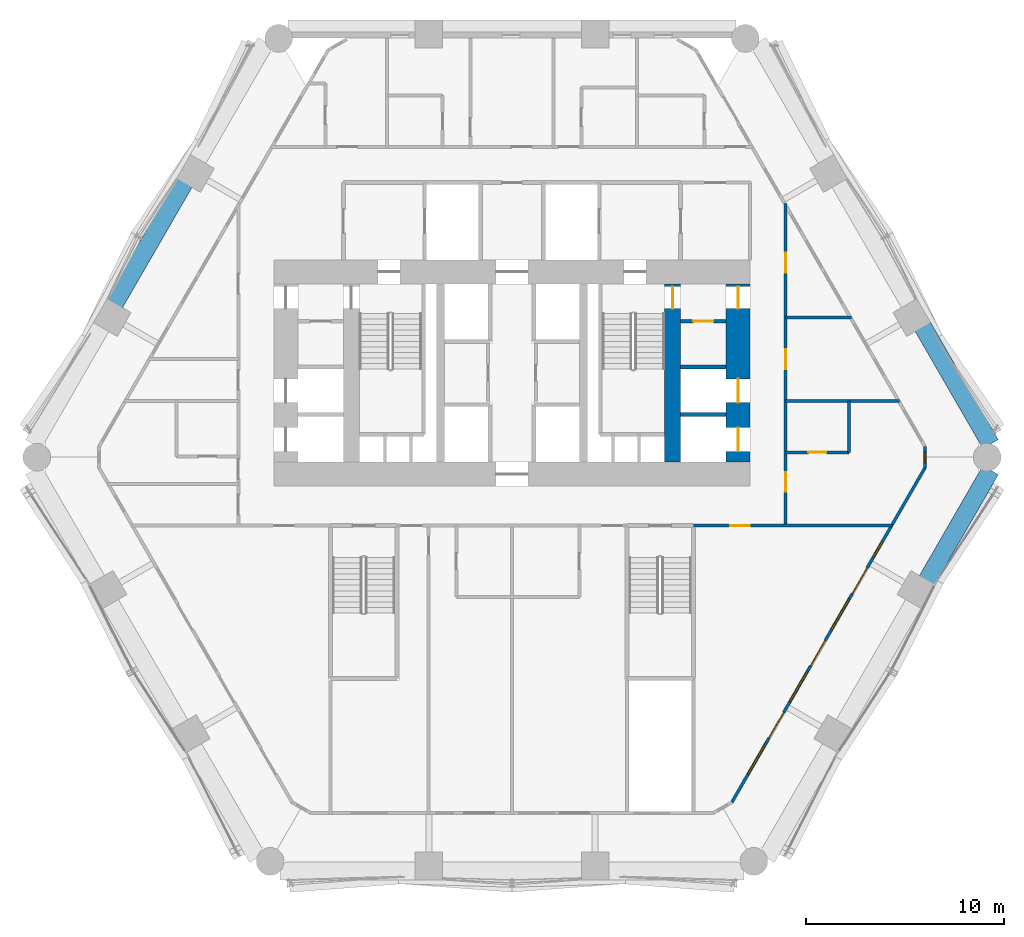
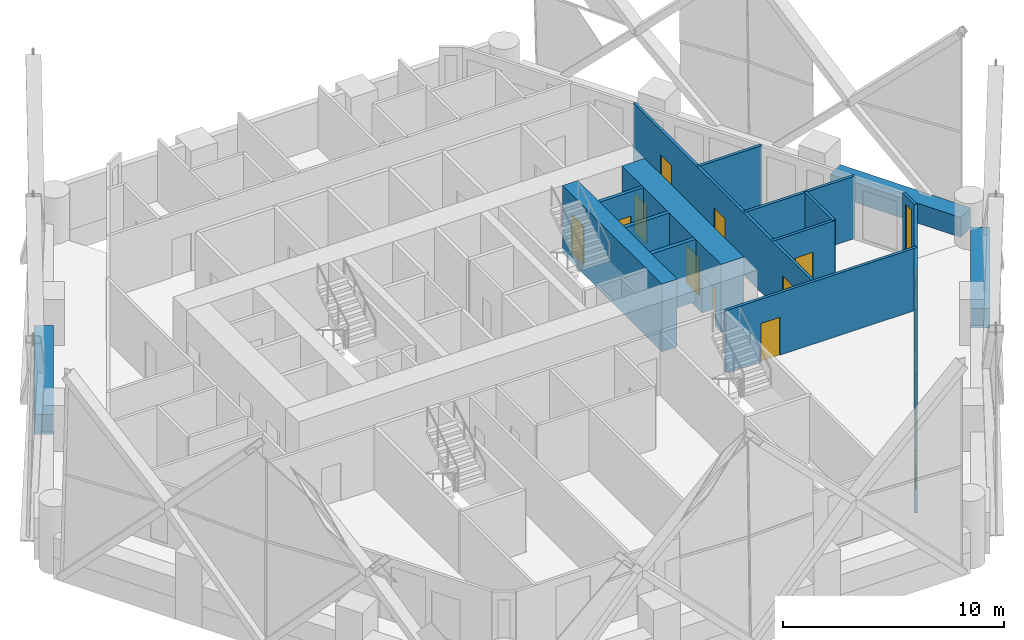
# One storey, part 13 of 22: 16 walls, 13 doors, 5 windows, 18 openings.
"""IFC4 building model written with IfcOpenShell, lengths in metres."""

from ifc_helpers import new_model, si_unit, direction, frame, frame_2d, origin, place, context, subcontext, project, spatial, rectangle, extrude, material, layer, layer_set, type_object, element, fill, save


model = new_model("IFC4")

# Units and contexts
model_context = context("Model", 3, precision=1e-05, world=origin(), true_north=direction((0.0, 1.0)))
body_context = subcontext(model_context, "Body", "Model", "MODEL_VIEW")
ifc_project = project(units=[si_unit("LENGTHUNIT", "METRE"), si_unit("AREAUNIT", "SQUARE_METRE"), si_unit("VOLUMEUNIT", "CUBIC_METRE"), si_unit("PLANEANGLEUNIT", "RADIAN"), si_unit("MASSUNIT", "GRAM", prefix="KILO")], contexts=[model_context])

# Site, building, storey
site_placement = place(None, origin())
site = spatial("IfcSite", under=ifc_project, at=site_placement, CompositionType="ELEMENT")
building_placement = place(site_placement, origin())
building = spatial("IfcBuilding", under=site, at=building_placement, Name="Ostrander Bayou Hotel Tower", CompositionType="ELEMENT")
storey_placement = place(building_placement, frame((0.0, 0.0, 46.75)))
storey = spatial("IfcBuildingStorey", under=building, at=storey_placement, Name="L11", CompositionType="ELEMENT", Elevation=46.75)

# Wall, openings, doors
ifc_material_1 = material(Name="Concrete f'c 70 MPa", Category="concrete")
ifc_layer_1 = layer(ifc_material_1, 1.199951171875)
ifc_layer_set_1 = layer_set([ifc_layer_1], Name="CW1 core wall 1200 mm f'c 70 MPa")
wall_type_1 = type_object("IfcWallType", Name="CW1 core wall 1200 mm f'c 70 MPa", PredefinedType="SHEAR", material=ifc_layer_set_1)
wall_1_placement = place(storey_placement, frame((11.39990234375, -0.5, -0.300048828125), z_axis=(0.0, 0.0, 1.0), x_axis=(0.0, 1.0, 0.0)))
wall_1 = element("IfcWall", 1, at=wall_1_placement, inside=storey, type_object=wall_type_1, Name="CW1 L11 RE", PredefinedType="SHEAR", context=body_context, shape_type="SweptSolid", body=[
    extrude(rectangle(XDim=9.0, YDim=1.199951171875, at=frame_2d((4.5, 0.0))), origin(), (0.0, 0.0, 1.0), 3.75),
])
opening_1_placement = place(wall_1_placement, frame((7.75, 0.0, 0.0)))
opening_1 = element("IfcOpeningElement", 2, at=opening_1_placement, cuts=wall_1, Name="Opening T09-021", PredefinedType="OPENING", context=body_context, shape_type="SweptSolid", body=[
    extrude(rectangle(XDim=1.10009765625, YDim=2.10009765625, at=frame_2d((0.550048828125, 1.050048828125))), frame((0.0, 0.60009765625, 0.0), z_axis=(0.0, -1.0, 0.0), x_axis=(1.0, 0.0, 0.0)), (0.0, 0.0, 1.0), 1.199951171875),
])
opening_2_placement = place(wall_1_placement, frame((0.550048828125, 0.0, 0.0)))
opening_2 = element("IfcOpeningElement", 3, at=opening_2_placement, cuts=wall_1, Name="Opening T09-022", PredefinedType="OPENING", context=body_context, shape_type="SweptSolid", body=[
    extrude(rectangle(XDim=1.199951171875, YDim=2.10009765625, at=frame_2d((0.60009765625, 1.050048828125))), frame((0.0, 0.60009765625, 0.0), z_axis=(0.0, -1.0, 0.0), x_axis=(1.0, 0.0, 0.0)), (0.0, 0.0, 1.0), 1.199951171875),
])
opening_3_placement = place(wall_1_placement, frame((3.0, 0.0, 0.0)))
opening_3 = element("IfcOpeningElement", 4, at=opening_3_placement, cuts=wall_1, Name="Opening T09-023", PredefinedType="OPENING", context=body_context, shape_type="SweptSolid", body=[
    extrude(rectangle(XDim=1.199951171875, YDim=2.10009765625, at=frame_2d((0.60009765625, 1.050048828125))), frame((0.0, 0.60009765625, 0.0), z_axis=(0.0, -1.0, 0.0), x_axis=(1.0, 0.0, 0.0)), (0.0, 0.0, 1.0), 1.199951171875),
])
ifc_material_2 = material(Name="Timber door leaf", Category="wood")
door_type_1 = type_object("IfcDoorType", Name="D5 stair door 1100 x 2100 mm, 90 minute", OperationType="SINGLE_SWING_LEFT", PredefinedType="DOOR", material=ifc_material_2)
door_1_placement = place(opening_1_placement, origin())
door_1 = element("IfcDoor", 5, at=door_1_placement, inside=storey, type_object=door_type_1, Name="dr:L11:021", OperationType="SINGLE_SWING_RIGHT", OverallHeight=2.10009765625, OverallWidth=1.10009765625, PredefinedType="DOOR", context=body_context, shape_type="SweptSolid", body=[
    extrude(rectangle(XDim=1.10009765625, YDim=2.10009765625, at=frame_2d((0.550048828125, 1.050048828125))), frame((0.0, 0.02490234375, 0.0), z_axis=(0.0, -1.0, 0.0), x_axis=(1.0, 0.0, 0.0)), (0.0, 0.0, 1.0), 0.050048828125),
])
fill(opening_1, door_1)
ifc_material_3 = material(Name="Stainless steel sliding door", Category="steel")
door_type_2 = type_object("IfcDoorType", Name="LD1 lift landing door 1200 x 2100 mm", OperationType="SINGLE_SWING_LEFT", PredefinedType="DOOR", material=ifc_material_3)
door_2_placement = place(opening_2_placement, origin())
door_2 = element("IfcDoor", 6, at=door_2_placement, inside=storey, type_object=door_type_2, Name="dr:L11:022", OperationType="SLIDING_TO_LEFT", OverallHeight=2.10009765625, OverallWidth=1.199951171875, PredefinedType="DOOR", context=body_context, shape_type="SweptSolid", body=[
    extrude(rectangle(XDim=1.199951171875, YDim=2.10009765625, at=frame_2d((0.60009765625, 1.050048828125))), frame((0.0, 0.02490234375, 0.0), z_axis=(0.0, -1.0, 0.0), x_axis=(1.0, 0.0, 0.0)), (0.0, 0.0, 1.0), 0.050048828125),
])
fill(opening_2, door_2)
door_3_placement = place(opening_3_placement, origin())
door_3 = element("IfcDoor", 7, at=door_3_placement, inside=storey, type_object=door_type_2, Name="dr:L11:023", OperationType="SLIDING_TO_LEFT", OverallHeight=2.10009765625, OverallWidth=1.199951171875, PredefinedType="DOOR", context=body_context, shape_type="SweptSolid", body=[
    extrude(rectangle(XDim=1.199951171875, YDim=2.10009765625, at=frame_2d((0.60009765625, 1.050048828125))), frame((0.0, 0.02490234375, 0.0), z_axis=(0.0, -1.0, 0.0), x_axis=(1.0, 0.0, 0.0)), (0.0, 0.0, 1.0), 0.050048828125),
])
fill(opening_3, door_3)

# Wall, opening, door
ifc_material_4 = material(Name="Concrete f'c 70 MPa", Category="concrete")
ifc_layer_2 = layer(ifc_material_4, 0.800048828125)
ifc_layer_set_2 = layer_set([ifc_layer_2], Name="CW2 core spine wall 800 mm f'c 70 MPa")
wall_type_2 = type_object("IfcWallType", Name="CW2 core spine wall 800 mm f'c 70 MPa", PredefinedType="SHEAR", material=ifc_layer_set_2)
wall_2_placement = place(storey_placement, frame((8.10009765625, -0.5, -0.300048828125), z_axis=(0.0, 0.0, 1.0), x_axis=(0.0, 1.0, 0.0)))
wall_2 = element("IfcWall", 8, at=wall_2_placement, inside=storey, type_object=wall_type_2, Name="CW2 L11 E", PredefinedType="SHEAR", context=body_context, shape_type="SweptSolid", body=[
    extrude(rectangle(XDim=9.0, YDim=0.800048828125, at=frame_2d((4.5, 0.0))), origin(), (0.0, 0.0, 1.0), 3.75),
])
opening_4_placement = place(wall_2_placement, frame((7.75, 0.0, 0.0)))
opening_4 = element("IfcOpeningElement", 9, at=opening_4_placement, cuts=wall_2, Name="Opening T09-006", PredefinedType="OPENING", context=body_context, shape_type="SweptSolid", body=[
    extrude(rectangle(XDim=1.10009765625, YDim=2.10009765625, at=frame_2d((0.550048828125, 1.050048828125))), frame((0.0, 0.39990234375, 0.0), z_axis=(0.0, -1.0, 0.0), x_axis=(1.0, 0.0, 0.0)), (0.0, 0.0, 1.0), 0.800048828125),
])
door_4_placement = place(opening_4_placement, origin())
door_4 = element("IfcDoor", 10, at=door_4_placement, inside=storey, type_object=door_type_1, Name="dr:L11:006", OperationType="SINGLE_SWING_LEFT", OverallHeight=2.10009765625, OverallWidth=1.10009765625, PredefinedType="DOOR", context=body_context, shape_type="SweptSolid", body=[
    extrude(rectangle(XDim=1.10009765625, YDim=2.10009765625, at=frame_2d((0.550048828125, 1.050048828125))), frame((0.0, 0.02490234375, 0.0), z_axis=(0.0, -1.0, 0.0), x_axis=(1.0, 0.0, 0.0)), (0.0, 0.0, 1.0), 0.050048828125),
])
fill(opening_4, door_4)

# Wall, openings, doors, windows
ifc_material_5 = material(Name="Aluminium framed insulated wall", Category="aluminium")
ifc_layer_3 = layer(ifc_material_5, 0.14990234375)
ifc_layer_set_3 = layer_set([ifc_layer_3], Name="GW1 glass-line wall 150 mm")
wall_type_3 = type_object("IfcWallType", Name="GW1 glass-line wall 150 mm", PredefinedType="SOLIDWALL", material=ifc_layer_set_3)
wall_3_placement = place(storey_placement, frame((11.0869140625, -17.64697265625, 0.0), z_axis=(0.0, 0.0, 1.0), x_axis=(0.499999841607, 0.866025495233, 0.0)))
wall_3 = element("IfcWall", 11, at=wall_3_placement, inside=storey, type_object=wall_type_3, Name="GW1 L11 SE 1", PredefinedType="SOLIDWALL", context=body_context, shape_type="SweptSolid", body=[
    extrude(rectangle(XDim=19.478515625, YDim=0.14990234375, at=frame_2d((9.7392578125, 0.0))), origin(), (0.0, 0.0, 1.0), 3.449951171875),
])
opening_5_placement = place(wall_3_placement, frame((1.639404296875, 0.0, 0.14990234375)))
opening_5 = element("IfcOpeningElement", 12, at=opening_5_placement, cuts=wall_3, Name="Opening W1", PredefinedType="OPENING", context=body_context, shape_type="SweptSolid", body=[
    extrude(rectangle(XDim=1.800048828125, YDim=2.85009765625, at=frame_2d((0.89990234375, 1.425048828125))), frame((0.0, 0.074951171875, 0.0), z_axis=(0.0, -1.0, 0.0), x_axis=(1.0, 0.0, 0.0)), (0.0, 0.0, 1.0), 0.14990234375),
])
opening_6_placement = place(wall_3_placement, frame((3.7392578125, 0.0, 0.0)))
opening_6 = element("IfcOpeningElement", 13, at=opening_6_placement, cuts=wall_3, Name="Opening T09-805", PredefinedType="OPENING", context=body_context, shape_type="SweptSolid", body=[
    extrude(rectangle(XDim=1.5, YDim=2.39990234375, at=frame_2d((0.75, 1.199951171875))), frame((0.0, 0.074951171875, 0.0), z_axis=(0.0, -1.0, 0.0), x_axis=(1.0, 0.0, 0.0)), (0.0, 0.0, 1.0), 0.14990234375),
])
opening_7_placement = place(wall_3_placement, frame((5.83935546875, 0.0, 0.14990234375)))
opening_7 = element("IfcOpeningElement", 14, at=opening_7_placement, cuts=wall_3, Name="Opening W1", PredefinedType="OPENING", context=body_context, shape_type="SweptSolid", body=[
    extrude(rectangle(XDim=1.800048828125, YDim=2.85009765625, at=frame_2d((0.89990234375, 1.425048828125))), frame((0.0, 0.074951171875, 0.0), z_axis=(0.0, -1.0, 0.0), x_axis=(1.0, 0.0, 0.0)), (0.0, 0.0, 1.0), 0.14990234375),
])
opening_8_placement = place(wall_3_placement, frame((7.939208984375, 0.0, 0.0)))
opening_8 = element("IfcOpeningElement", 15, at=opening_8_placement, cuts=wall_3, Name="Opening T09-806", PredefinedType="OPENING", context=body_context, shape_type="SweptSolid", body=[
    extrude(rectangle(XDim=1.5, YDim=2.39990234375, at=frame_2d((0.75, 1.199951171875))), frame((0.0, 0.074951171875, 0.0), z_axis=(0.0, -1.0, 0.0), x_axis=(1.0, 0.0, 0.0)), (0.0, 0.0, 1.0), 0.14990234375),
])
opening_9_placement = place(wall_3_placement, frame((10.039306640625, 0.0, 0.14990234375)))
opening_9 = element("IfcOpeningElement", 16, at=opening_9_placement, cuts=wall_3, Name="Opening W1", PredefinedType="OPENING", context=body_context, shape_type="SweptSolid", body=[
    extrude(rectangle(XDim=1.800048828125, YDim=2.85009765625, at=frame_2d((0.89990234375, 1.425048828125))), frame((0.0, 0.074951171875, 0.0), z_axis=(0.0, -1.0, 0.0), x_axis=(1.0, 0.0, 0.0)), (0.0, 0.0, 1.0), 0.14990234375),
])
opening_10_placement = place(wall_3_placement, frame((12.139404296875, 0.0, 0.0)))
opening_10 = element("IfcOpeningElement", 17, at=opening_10_placement, cuts=wall_3, Name="Opening T09-807", PredefinedType="OPENING", context=body_context, shape_type="SweptSolid", body=[
    extrude(rectangle(XDim=1.5, YDim=2.39990234375, at=frame_2d((0.75, 1.199951171875))), frame((0.0, 0.074951171875, 0.0), z_axis=(0.0, -1.0, 0.0), x_axis=(1.0, 0.0, 0.0)), (0.0, 0.0, 1.0), 0.14990234375),
])
opening_11_placement = place(wall_3_placement, frame((14.2392578125, 0.0, 0.14990234375)))
opening_11 = element("IfcOpeningElement", 18, at=opening_11_placement, cuts=wall_3, Name="Opening W15", PredefinedType="OPENING", context=body_context, shape_type="SweptSolid", body=[
    extrude(rectangle(XDim=0.89990234375, YDim=2.85009765625, at=frame_2d((0.449951171875, 1.425048828125))), frame((0.0, 0.074951171875, 0.0), z_axis=(0.0, -1.0, 0.0), x_axis=(1.0, 0.0, 0.0)), (0.0, 0.0, 1.0), 0.14990234375),
])
ifc_material_6 = material(Name="Aluminium and clear glass", Category="aluminium")
door_type_3 = type_object("IfcDoorType", Name="SD1 sliding glass door 1500 mm, zone 1", OperationType="SLIDING_TO_LEFT", PredefinedType="DOOR", material=ifc_material_6)
door_5_placement = place(opening_6_placement, origin())
door_5 = element("IfcDoor", 19, at=door_5_placement, inside=storey, type_object=door_type_3, Name="SD1 L11 SE 1", OperationType="SLIDING_TO_LEFT", OverallHeight=2.39990234375, OverallWidth=1.5, PredefinedType="DOOR", context=body_context, shape_type="SweptSolid", body=[
    extrude(rectangle(XDim=1.5, YDim=2.39990234375, at=frame_2d((0.75, 1.199951171875))), frame((0.0, 0.02490234375, 0.0), z_axis=(0.0, -1.0, 0.0), x_axis=(1.0, 0.0, 0.0)), (0.0, 0.0, 1.0), 0.050048828125),
])
fill(opening_6, door_5)
door_6_placement = place(opening_8_placement, origin())
door_6 = element("IfcDoor", 20, at=door_6_placement, inside=storey, type_object=door_type_3, Name="SD1 L11 SE 2", OperationType="SLIDING_TO_RIGHT", OverallHeight=2.39990234375, OverallWidth=1.5, PredefinedType="DOOR", context=body_context, shape_type="SweptSolid", body=[
    extrude(rectangle(XDim=1.5, YDim=2.39990234375, at=frame_2d((0.75, 1.199951171875))), frame((0.0, 0.02490234375, 0.0), z_axis=(0.0, -1.0, 0.0), x_axis=(1.0, 0.0, 0.0)), (0.0, 0.0, 1.0), 0.050048828125),
])
fill(opening_8, door_6)
door_7_placement = place(opening_10_placement, origin())
door_7 = element("IfcDoor", 21, at=door_7_placement, inside=storey, type_object=door_type_3, Name="SD1 L11 SE 3", OperationType="SLIDING_TO_LEFT", OverallHeight=2.39990234375, OverallWidth=1.5, PredefinedType="DOOR", context=body_context, shape_type="SweptSolid", body=[
    extrude(rectangle(XDim=1.5, YDim=2.39990234375, at=frame_2d((0.75, 1.199951171875))), frame((0.0, 0.02490234375, 0.0), z_axis=(0.0, -1.0, 0.0), x_axis=(1.0, 0.0, 0.0)), (0.0, 0.0, 1.0), 0.050048828125),
])
fill(opening_10, door_7)
ifc_material_7 = material(Name="Aluminium and clear glass", Category="aluminium")
window_type_1 = type_object("IfcWindowType", Name="W1 fixed window 1800 mm, zone 1", PartitioningType="SINGLE_PANEL", PredefinedType="WINDOW", material=ifc_material_7)
window_1_placement = place(opening_5_placement, origin())
window_1 = element("IfcWindow", 22, at=window_1_placement, inside=storey, type_object=window_type_1, Name="W1 L11 SE 1", OverallHeight=2.85009765625, OverallWidth=1.800048828125, PartitioningType="SINGLE_PANEL", PredefinedType="WINDOW", context=body_context, shape_type="SweptSolid", body=[
    extrude(rectangle(XDim=1.800048828125, YDim=2.85009765625, at=frame_2d((0.89990234375, 1.425048828125))), frame((0.0, 0.030029296875, 0.0), z_axis=(0.0, -1.0, 0.0), x_axis=(1.0, 0.0, 0.0)), (0.0, 0.0, 1.0), 0.06005859375),
])
fill(opening_5, window_1)
window_2_placement = place(opening_7_placement, origin())
window_2 = element("IfcWindow", 23, at=window_2_placement, inside=storey, type_object=window_type_1, Name="W1 L11 SE 2", OverallHeight=2.85009765625, OverallWidth=1.800048828125, PartitioningType="SINGLE_PANEL", PredefinedType="WINDOW", context=body_context, shape_type="SweptSolid", body=[
    extrude(rectangle(XDim=1.800048828125, YDim=2.85009765625, at=frame_2d((0.89990234375, 1.425048828125))), frame((0.0, 0.030029296875, 0.0), z_axis=(0.0, -1.0, 0.0), x_axis=(1.0, 0.0, 0.0)), (0.0, 0.0, 1.0), 0.06005859375),
])
fill(opening_7, window_2)
window_3_placement = place(opening_9_placement, origin())
window_3 = element("IfcWindow", 24, at=window_3_placement, inside=storey, type_object=window_type_1, Name="W1 L11 SE 3", OverallHeight=2.85009765625, OverallWidth=1.800048828125, PartitioningType="SINGLE_PANEL", PredefinedType="WINDOW", context=body_context, shape_type="SweptSolid", body=[
    extrude(rectangle(XDim=1.800048828125, YDim=2.85009765625, at=frame_2d((0.89990234375, 1.425048828125))), frame((0.0, 0.030029296875, 0.0), z_axis=(0.0, -1.0, 0.0), x_axis=(1.0, 0.0, 0.0)), (0.0, 0.0, 1.0), 0.06005859375),
])
fill(opening_9, window_3)
ifc_material_8 = material(Name="Aluminium and clear glass", Category="aluminium")
window_type_2 = type_object("IfcWindowType", Name="W15 window 900 mm, zone 1", PartitioningType="SINGLE_PANEL", PredefinedType="WINDOW", material=ifc_material_8)
window_4_placement = place(opening_11_placement, origin())
window_4 = element("IfcWindow", 25, at=window_4_placement, inside=storey, type_object=window_type_2, Name="W15 L11 SE 4", OverallHeight=2.85009765625, OverallWidth=0.89990234375, PartitioningType="SINGLE_PANEL", PredefinedType="WINDOW", context=body_context, shape_type="SweptSolid", body=[
    extrude(rectangle(XDim=0.89990234375, YDim=2.85009765625, at=frame_2d((0.449951171875, 1.425048828125))), frame((0.0, 0.030029296875, 0.0), z_axis=(0.0, -1.0, 0.0), x_axis=(1.0, 0.0, 0.0)), (0.0, 0.0, 1.0), 0.06005859375),
])
fill(opening_11, window_4)

# Wall, opening, window
wall_4_placement = place(storey_placement, frame((20.826171875, -0.778076171875, 0.0), z_axis=(0.0, 0.0, 1.0), x_axis=(0.0, 1.0, 0.0)))
wall_4 = element("IfcWall", 26, at=wall_4_placement, inside=storey, type_object=wall_type_3, Name="GW1 L11 corner 5", PredefinedType="SOLIDWALL", context=body_context, shape_type="SweptSolid", body=[
    extrude(rectangle(XDim=1.065185546875, YDim=0.14990234375, at=frame_2d((0.53271484375, 0.0))), origin(), (0.0, 0.0, 1.0), 3.449951171875),
])
opening_12_placement = place(wall_4_placement, frame((0.257568359375, 0.0, 0.14990234375)))
opening_12 = element("IfcOpeningElement", 27, at=opening_12_placement, cuts=wall_4, Name="Opening W19", PredefinedType="OPENING", context=body_context, shape_type="SweptSolid", body=[
    extrude(rectangle(XDim=0.550048828125, YDim=2.85009765625, at=frame_2d((0.27490234375, 1.425048828125))), frame((0.0, 0.074951171875, 0.0), z_axis=(0.0, -1.0, 0.0), x_axis=(1.0, 0.0, 0.0)), (0.0, 0.0, 1.0), 0.14990234375),
])
ifc_material_9 = material(Name="Aluminium and clear glass", Category="aluminium")
window_type_3 = type_object("IfcWindowType", Name="W19 corner window 550 mm", PartitioningType="SINGLE_PANEL", PredefinedType="WINDOW", material=ifc_material_9)
window_5_placement = place(opening_12_placement, origin())
window_5 = element("IfcWindow", 28, at=window_5_placement, inside=storey, type_object=window_type_3, Name="W19 L11 corner 5", OverallHeight=2.85009765625, OverallWidth=0.550048828125, PartitioningType="SINGLE_PANEL", PredefinedType="WINDOW", context=body_context, shape_type="SweptSolid", body=[
    extrude(rectangle(XDim=0.550048828125, YDim=2.85009765625, at=frame_2d((0.27490234375, 1.425048828125))), frame((0.0, 0.030029296875, 0.0), z_axis=(0.0, -1.0, 0.0), x_axis=(1.0, 0.0, 0.0)), (0.0, 0.0, 1.0), 0.06005859375),
])
fill(opening_12, window_5)

# Walls
ifc_material_10 = material(Name="Concrete f'c 40 MPa", Category="concrete")
ifc_layer_4 = layer(ifc_material_10, 0.89990234375)
ifc_layer_set_4 = layer_set([ifc_layer_4], Name="PA1 stone-faced parapet 900 mm")
wall_type_4 = type_object("IfcWallType", Name="PA1 stone-faced parapet 900 mm", PredefinedType="PARAPET", material=ifc_layer_set_4)
wall_5_placement = place(storey_placement, frame((-16.514404296875, 13.60546875, 0.0), z_axis=(0.0, 0.0, 1.0), x_axis=(-0.499997206141, -0.866027016814, 0.0)))
element("IfcWall", 29, at=wall_5_placement, inside=storey, type_object=wall_type_4, Name="PA1 L11 NW-2", PredefinedType="PARAPET", context=body_context, shape_type="SweptSolid", body=[
    extrude(rectangle(XDim=7.05078125, YDim=0.89990234375, at=frame_2d((3.525390625, 0.0))), origin(), (0.0, 0.0, 1.0), 1.10009765625),
])
wall_6_placement = place(storey_placement, frame((24.13232421875, 0.410400390625, 0.0), z_axis=(0.0, 0.0, 1.0), x_axis=(-0.499994135611, 0.866028789565, 0.0)))
element("IfcWall", 30, at=wall_6_placement, inside=storey, type_object=wall_type_4, Name="PA1 L11 NE-1", PredefinedType="PARAPET", context=body_context, shape_type="SweptSolid", body=[
    extrude(rectangle(XDim=6.84521484375, YDim=0.89990234375, at=frame_2d((3.422607421875, 0.0))), origin(), (0.0, 0.0, 1.0), 1.10009765625),
])
ifc_material_11 = material(Name="Limestone masonry", Category="masonry")
ifc_layer_5 = layer(ifc_material_11, 0.89990234375)
ifc_layer_set_5 = layer_set([ifc_layer_5], Name="PA2 limestone parapet 900 mm")
wall_type_5 = type_object("IfcWallType", Name="PA2 limestone parapet 900 mm", PredefinedType="PARAPET", material=ifc_layer_set_5)
wall_7_placement = place(storey_placement, frame((20.92236328125, -6.46142578125, 0.0), z_axis=(0.0, 0.0, 1.0), x_axis=(0.499983599745, 0.866034872269, 0.0)))
element("IfcWall", 31, at=wall_7_placement, inside=storey, type_object=wall_type_5, Name="PA2 L11 SE-3", PredefinedType="PARAPET", context=body_context, shape_type="SweptSolid", body=[
    extrude(rectangle(XDim=6.420166015625, YDim=0.89990234375, at=frame_2d((3.2099609375, 0.0))), origin(), (0.0, 0.0, 1.0), 1.10009765625),
])

# Wall, opening, door
ifc_material_12 = material(Name="Gypsum board partition", Category="finish")
ifc_layer_6 = layer(ifc_material_12, 0.175048828125)
ifc_layer_set_6 = layer_set([ifc_layer_6], Name="PT4 corridor wall 175 mm, 1 hour")
wall_type_6 = type_object("IfcWallType", Name="PT4 corridor wall 175 mm, 1 hour", PredefinedType="PARTITIONING", material=ifc_layer_set_6)
wall_8_placement = place(storey_placement, frame((8.5, 6.614013671875, 0.0), z_axis=(0.0, 0.0, 1.0), x_axis=(1.0, 0.0, 0.0)))
wall_8 = element("IfcWall", 32, at=wall_8_placement, inside=storey, type_object=wall_type_6, Name="cs:L11:041", PredefinedType="PARTITIONING", context=body_context, shape_type="SweptSolid", body=[
    extrude(rectangle(XDim=2.300048828125, YDim=0.175048828125, at=frame_2d((1.14990234375, 0.0))), origin(), (0.0, 0.0, 1.0), 3.449951171875),
])
opening_13_placement = place(wall_8_placement, frame((0.64990234375, 0.0, 0.0)))
opening_13 = element("IfcOpeningElement", 33, at=opening_13_placement, cuts=wall_8, Name="Opening T09-020", PredefinedType="OPENING", context=body_context, shape_type="SweptSolid", body=[
    extrude(rectangle(XDim=1.0, YDim=2.10009765625, at=frame_2d((0.5, 1.050048828125))), frame((0.0, 0.08740234375, 0.0), z_axis=(0.0, -1.0, 0.0), x_axis=(1.0, 0.0, 0.0)), (0.0, 0.0, 1.0), 0.175048828125),
])
ifc_material_13 = material(Name="Timber door leaf", Category="wood")
door_type_4 = type_object("IfcDoorType", Name="D4 corridor door 1000 x 2100 mm, 1 hour", OperationType="SINGLE_SWING_LEFT", PredefinedType="DOOR", material=ifc_material_13)
door_8_placement = place(opening_13_placement, origin())
door_8 = element("IfcDoor", 34, at=door_8_placement, inside=storey, type_object=door_type_4, Name="dr:L11:020", OperationType="SINGLE_SWING_RIGHT", OverallHeight=2.10009765625, OverallWidth=1.0, PredefinedType="DOOR", context=body_context, shape_type="SweptSolid", body=[
    extrude(rectangle(XDim=1.0, YDim=2.10009765625, at=frame_2d((0.5, 1.050048828125))), frame((0.0, 0.02490234375, 0.0), z_axis=(0.0, -1.0, 0.0), x_axis=(1.0, 0.0, 0.0)), (0.0, 0.0, 1.0), 0.050048828125),
])
fill(opening_13, door_8)

# Walls
ifc_material_14 = material(Name="Masonry block", Category="masonry")
ifc_layer_7 = layer(ifc_material_14, 0.199951171875)
ifc_layer_set_7 = layer_set([ifc_layer_7], Name="PT6 lift shaft wall 200 mm masonry, 2 hour")
wall_type_7 = type_object("IfcWallType", Name="PT6 lift shaft wall 200 mm masonry, 2 hour", PredefinedType="PARTITIONING", material=ifc_layer_set_7)
for number, where, z_axis, x_axis, name in (
    (35, (8.5, 1.89990234375, 0.0), (0.0, 0.0, 1.0), (1.0, 0.0, 0.0), "cs:L11:039"),
    (36, (8.5, 4.300048828125, 0.0), (0.0, 0.0, 1.0), (1.0, 0.0, 0.0), "cs:L11:040"),
):
    element("IfcWall", number, at=place(storey_placement, frame(where, z_axis=z_axis, x_axis=x_axis)), inside=storey, type_object=wall_type_7, Name=name, PredefinedType="PARTITIONING", context=body_context, shape_type="SweptSolid", body=[
        extrude(rectangle(XDim=2.300048828125, YDim=0.199951171875, at=frame_2d((1.14990234375, 0.0))), origin(), (0.0, 0.0, 1.0), 3.449951171875),
    ])

# Wall, opening, door
ifc_material_15 = material(Name="Gypsum board partition", Category="finish")
ifc_layer_8 = layer(ifc_material_15, 0.14990234375)
ifc_layer_set_8 = layer_set([ifc_layer_8], Name="PT8 service band wall 150 mm, 1 hour")
wall_type_8 = type_object("IfcWallType", Name="PT8 service band wall 150 mm, 1 hour", PredefinedType="PARTITIONING", material=ifc_layer_set_8)
wall_9_placement = place(storey_placement, frame((9.159912109375, -3.699951171875, 0.0), z_axis=(0.0, 0.0, 1.0), x_axis=(1.0, 0.0, 0.0)))
wall_9 = element("IfcWall", 37, at=wall_9_placement, inside=storey, type_object=wall_type_8, Name="gw:L11:004", PredefinedType="PARTITIONING", context=body_context, shape_type="SweptSolid", body=[
    extrude(rectangle(XDim=10.031005859375, YDim=0.14990234375, at=frame_2d((5.015625, 0.0))), origin(), (0.0, 0.0, 1.0), 3.449951171875),
])
opening_14_placement = place(wall_9_placement, frame((1.840087890625, 0.0, 0.0)))
opening_14 = element("IfcOpeningElement", 38, at=opening_14_placement, cuts=wall_9, Name="Opening T09-406", PredefinedType="OPENING", context=body_context, shape_type="SweptSolid", body=[
    extrude(rectangle(XDim=1.0, YDim=2.10009765625, at=frame_2d((0.5, 1.050048828125))), frame((0.0, 0.074951171875, 0.0), z_axis=(0.0, -1.0, 0.0), x_axis=(1.0, 0.0, 0.0)), (0.0, 0.0, 1.0), 0.14990234375),
])
ifc_material_16 = material(Name="Timber door leaf", Category="wood")
door_type_5 = type_object("IfcDoorType", Name="D15 room door 1000 x 2100 mm", OperationType="SINGLE_SWING_LEFT", PredefinedType="DOOR", material=ifc_material_16)
door_9_placement = place(opening_14_placement, origin())
door_9 = element("IfcDoor", 39, at=door_9_placement, inside=storey, type_object=door_type_5, Name="dr:L11:406", OperationType="SINGLE_SWING_LEFT", OverallHeight=2.10009765625, OverallWidth=1.0, PredefinedType="DOOR", context=body_context, shape_type="SweptSolid", body=[
    extrude(rectangle(XDim=1.0, YDim=2.10009765625, at=frame_2d((0.5, 1.050048828125))), frame((0.0, 0.02490234375, 0.0), z_axis=(0.0, -1.0, 0.0), x_axis=(1.0, 0.0, 0.0)), (0.0, 0.0, 1.0), 0.050048828125),
])
fill(opening_14, door_9)

wall_10_placement = place(storey_placement, frame((13.800048828125, 0.0, 0.0), z_axis=(0.0, 0.0, 1.0), x_axis=(1.0, 0.0, 0.0)))
wall_10 = element("IfcWall", 40, at=wall_10_placement, inside=storey, type_object=wall_type_8, Name="gw:L11:007", PredefinedType="PARTITIONING", context=body_context, shape_type="SweptSolid", body=[
    extrude(rectangle(XDim=3.199951171875, YDim=0.14990234375, at=frame_2d((1.60009765625, 0.0))), origin(), (0.0, 0.0, 1.0), 3.449951171875),
])
opening_15_placement = place(wall_10_placement, frame((1.14990234375, 0.0, 0.0)))
opening_15 = element("IfcOpeningElement", 41, at=opening_15_placement, cuts=wall_10, Name="Opening T09-413", PredefinedType="OPENING", context=body_context, shape_type="SweptSolid", body=[
    extrude(rectangle(XDim=0.89990234375, YDim=2.10009765625, at=frame_2d((0.449951171875, 1.050048828125))), frame((0.0, 0.074951171875, 0.0), z_axis=(0.0, -1.0, 0.0), x_axis=(1.0, 0.0, 0.0)), (0.0, 0.0, 1.0), 0.14990234375),
])
ifc_material_17 = material(Name="Timber door leaf", Category="wood")
door_type_6 = type_object("IfcDoorType", Name="D8 room door 900 x 2100 mm", OperationType="SINGLE_SWING_LEFT", PredefinedType="DOOR", material=ifc_material_17)
door_10_placement = place(opening_15_placement, origin())
door_10 = element("IfcDoor", 42, at=door_10_placement, inside=storey, type_object=door_type_6, Name="dr:L11:413", OperationType="SINGLE_SWING_LEFT", OverallHeight=2.10009765625, OverallWidth=0.89990234375, PredefinedType="DOOR", context=body_context, shape_type="SweptSolid", body=[
    extrude(rectangle(XDim=0.89990234375, YDim=2.10009765625, at=frame_2d((0.449951171875, 1.050048828125))), frame((0.0, 0.02490234375, 0.0), z_axis=(0.0, -1.0, 0.0), x_axis=(1.0, 0.0, 0.0)), (0.0, 0.0, 1.0), 0.050048828125),
])
fill(opening_15, door_10)

# Walls
wall_11_placement = place(storey_placement, frame((13.800048828125, 2.60009765625, 0.0), z_axis=(0.0, 0.0, 1.0), x_axis=(1.0, 0.0, 0.0)))
element("IfcWall", 43, at=wall_11_placement, inside=storey, type_object=wall_type_8, Name="gw:L11:009", PredefinedType="PARTITIONING", context=body_context, shape_type="SweptSolid", body=[
    extrude(rectangle(XDim=5.742919921875, YDim=0.14990234375, at=frame_2d((2.87158203125, 0.0))), origin(), (0.0, 0.0, 1.0), 3.449951171875),
])
wall_12_placement = place(storey_placement, frame((13.800048828125, 6.800048828125, 0.0), z_axis=(0.0, 0.0, 1.0), x_axis=(1.0, 0.0, 0.0)))
element("IfcWall", 44, at=wall_12_placement, inside=storey, type_object=wall_type_8, Name="gw:L11:011", PredefinedType="PARTITIONING", context=body_context, shape_type="SweptSolid", body=[
    extrude(rectangle(XDim=3.31787109375, YDim=0.14990234375, at=frame_2d((1.658935546875, 0.0))), origin(), (0.0, 0.0, 1.0), 3.449951171875),
])
wall_13_placement = place(storey_placement, frame((17.0, 0.0, 0.0), z_axis=(0.0, 0.0, 1.0), x_axis=(0.0, 1.0, 0.0)))
element("IfcWall", 45, at=wall_13_placement, inside=storey, type_object=wall_type_8, Name="gw:L11:018", PredefinedType="PARTITIONING", context=body_context, shape_type="SweptSolid", body=[
    extrude(rectangle(XDim=2.60009765625, YDim=0.14990234375, at=frame_2d((1.300048828125, 0.0))), origin(), (0.0, 0.0, 1.0), 3.449951171875),
])

# Wall, openings, doors
wall_14_placement = place(storey_placement, frame((13.800048828125, -3.699951171875, 0.0), z_axis=(0.0, 0.0, 1.0), x_axis=(0.0, 1.0, 0.0)))
wall_14 = element("IfcWall", 46, at=wall_14_placement, inside=storey, type_object=wall_type_8, Name="gw:L11:019", PredefinedType="PARTITIONING", context=body_context, shape_type="SweptSolid", body=[
    extrude(rectangle(XDim=16.2470703125, YDim=0.14990234375, at=frame_2d((8.12353515625, 0.0))), origin(), (0.0, 0.0, 1.0), 3.449951171875),
])
opening_16_placement = place(wall_14_placement, frame((1.705078125, 0.0, 0.0)))
opening_16 = element("IfcOpeningElement", 47, at=opening_16_placement, cuts=wall_14, Name="Opening T09-412", PredefinedType="OPENING", context=body_context, shape_type="SweptSolid", body=[
    extrude(rectangle(XDim=1.0, YDim=2.10009765625, at=frame_2d((0.5, 1.050048828125))), frame((0.0, 0.074951171875, 0.0), z_axis=(0.0, -1.0, 0.0), x_axis=(1.0, 0.0, 0.0)), (0.0, 0.0, 1.0), 0.14990234375),
])
opening_17_placement = place(wall_14_placement, frame((7.89990234375, 0.0, 0.0)))
opening_17 = element("IfcOpeningElement", 48, at=opening_17_placement, cuts=wall_14, Name="Opening T09-414", PredefinedType="OPENING", context=body_context, shape_type="SweptSolid", body=[
    extrude(rectangle(XDim=1.0, YDim=2.10009765625, at=frame_2d((0.5, 1.050048828125))), frame((0.0, 0.074951171875, 0.0), z_axis=(0.0, -1.0, 0.0), x_axis=(1.0, 0.0, 0.0)), (0.0, 0.0, 1.0), 0.14990234375),
])
opening_18_placement = place(wall_14_placement, frame((12.7529296875, 0.0, 0.0)))
opening_18 = element("IfcOpeningElement", 49, at=opening_18_placement, cuts=wall_14, Name="Opening T09-415", PredefinedType="OPENING", context=body_context, shape_type="SweptSolid", body=[
    extrude(rectangle(XDim=1.0, YDim=2.10009765625, at=frame_2d((0.5, 1.050048828125))), frame((0.0, 0.074951171875, 0.0), z_axis=(0.0, -1.0, 0.0), x_axis=(1.0, 0.0, 0.0)), (0.0, 0.0, 1.0), 0.14990234375),
])
door_11_placement = place(opening_16_placement, origin())
door_11 = element("IfcDoor", 50, at=door_11_placement, inside=storey, type_object=door_type_5, Name="dr:L11:412", OperationType="SINGLE_SWING_LEFT", OverallHeight=2.10009765625, OverallWidth=1.0, PredefinedType="DOOR", context=body_context, shape_type="SweptSolid", body=[
    extrude(rectangle(XDim=1.0, YDim=2.10009765625, at=frame_2d((0.5, 1.050048828125))), frame((0.0, 0.02490234375, 0.0), z_axis=(0.0, -1.0, 0.0), x_axis=(1.0, 0.0, 0.0)), (0.0, 0.0, 1.0), 0.050048828125),
])
fill(opening_16, door_11)
ifc_material_18 = material(Name="Timber door leaf", Category="wood")
door_type_7 = type_object("IfcDoorType", Name="D9 service door 1000 x 2100 mm, 30 minute", OperationType="SINGLE_SWING_LEFT", PredefinedType="DOOR", material=ifc_material_18)
door_12_placement = place(opening_17_placement, origin())
door_12 = element("IfcDoor", 51, at=door_12_placement, inside=storey, type_object=door_type_7, Name="dr:L11:414", OperationType="SINGLE_SWING_LEFT", OverallHeight=2.10009765625, OverallWidth=1.0, PredefinedType="DOOR", context=body_context, shape_type="SweptSolid", body=[
    extrude(rectangle(XDim=1.0, YDim=2.10009765625, at=frame_2d((0.5, 1.050048828125))), frame((0.0, 0.02490234375, 0.0), z_axis=(0.0, -1.0, 0.0), x_axis=(1.0, 0.0, 0.0)), (0.0, 0.0, 1.0), 0.050048828125),
])
fill(opening_17, door_12)
door_13_placement = place(opening_18_placement, origin())
door_13 = element("IfcDoor", 52, at=door_13_placement, inside=storey, type_object=door_type_7, Name="dr:L11:415", OperationType="SINGLE_SWING_LEFT", OverallHeight=2.10009765625, OverallWidth=1.0, PredefinedType="DOOR", context=body_context, shape_type="SweptSolid", body=[
    extrude(rectangle(XDim=1.0, YDim=2.10009765625, at=frame_2d((0.5, 1.050048828125))), frame((0.0, 0.02490234375, 0.0), z_axis=(0.0, -1.0, 0.0), x_axis=(1.0, 0.0, 0.0)), (0.0, 0.0, 1.0), 0.050048828125),
])
fill(opening_18, door_13)

save(model, "model.ifc")
